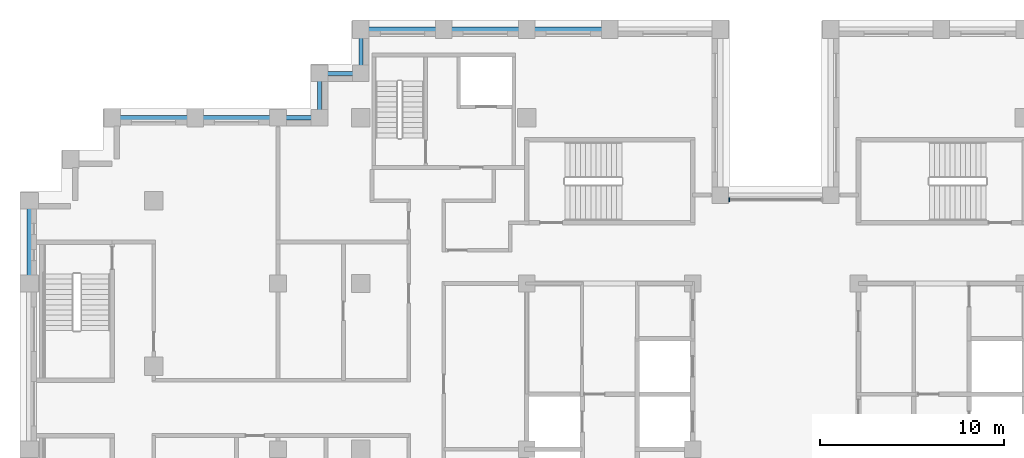
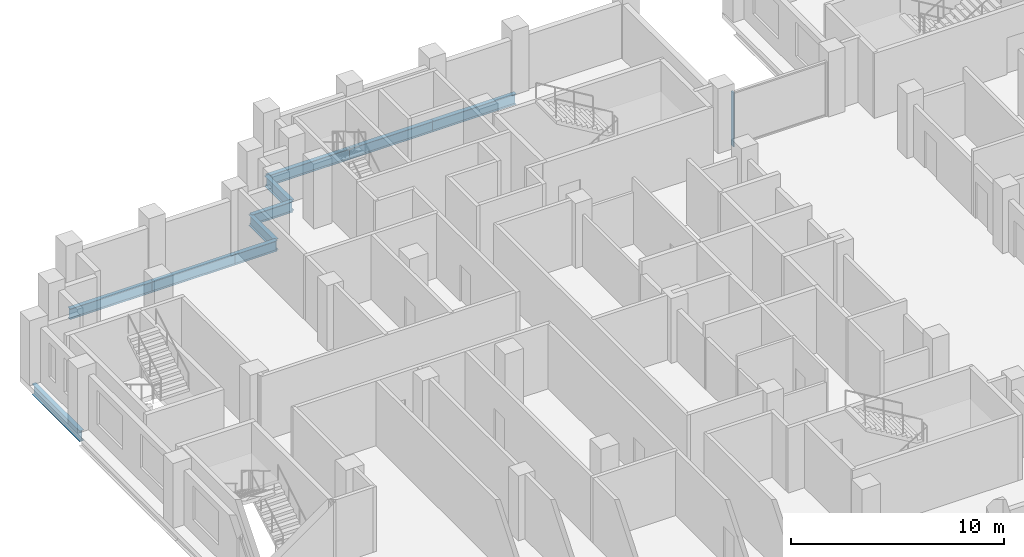
# One storey, part 3 of 15: 10 beams, 1 member, 1 element without a shape of its own.
"""IFC4 building model written with IfcOpenShell, lengths in metres."""

from ifc_helpers import new_model, si_unit, direction, frame, origin, origin_2d, place, context, subcontext, project, spatial, rectangle, i_section, extrude, material, layer, layer_set, material_profile, profile_set, type_object, element, aggregate, save


model = new_model("IFC4")

# Units and contexts
model_context = context("Model", 3, precision=1e-05, world=origin(), true_north=direction((0.0, 1.0)))
body_context = subcontext(model_context, "Body", "Model", "MODEL_VIEW")
ifc_project = project(units=[si_unit("LENGTHUNIT", "METRE"), si_unit("AREAUNIT", "SQUARE_METRE"), si_unit("VOLUMEUNIT", "CUBIC_METRE"), si_unit("PLANEANGLEUNIT", "RADIAN"), si_unit("MASSUNIT", "GRAM", prefix="KILO")], contexts=[model_context])

# Site, building, storey
site_placement = place(None, origin())
site = spatial("IfcSite", under=ifc_project, at=site_placement, CompositionType="ELEMENT")
building_placement = place(site_placement, origin())
building = spatial("IfcBuilding", under=site, at=building_placement, Name="Corbelhall Arena Tower", CompositionType="ELEMENT")
storey_placement = place(building_placement, frame((0.0, 0.0, 204.0)))
storey = spatial("IfcBuildingStorey", under=building, at=storey_placement, Name="L42", CompositionType="ELEMENT", Elevation=204.0)

# Curtain wall, member
ifc_material_1 = material(Name="Aluminium black anodised", Category="aluminium")
ifc_layer = layer(ifc_material_1, 0.199951171875)
ifc_layer_set = layer_set([ifc_layer], Name="EV-CW1 Slot back wall")
curtain_wall_type = type_object("IfcCurtainWallType", Name="EV-CW1 Slot back wall", PredefinedType="NOTDEFINED", material=ifc_layer_set)
curtain_wall_placement = place(storey_placement, origin())
curtain_wall = element("IfcCurtainWall", 1, at=curtain_wall_placement, inside=storey, type_object=curtain_wall_type, Name="Curtain wall CW1", PredefinedType="NOTDEFINED")
ifc_material_profile_1 = material_profile(ifc_material_1, rectangle(XDim=0.199951171875, YDim=0.074951171875, at=origin_2d()))
ifc_profile_set_1 = profile_set([ifc_material_profile_1], Name="Aluminium black anodised")
member_type = type_object("IfcMemberType", Name="EV-CW1-MULLION", PredefinedType="MULLION", material=ifc_profile_set_1)
member_placement = place(storey_placement, frame((-2.512451171875, 13.550048828125, 0.0), z_axis=(0.0, 0.0, 1.0), x_axis=(0.0, -1.0, 0.0)))
member = element("IfcMember", 2, at=member_placement, type_object=member_type, Name="CW1 mullion 2", PredefinedType="MULLION", context=body_context, shape_type="SweptSolid", body=[
    extrude(rectangle(XDim=0.199951171875, YDim=0.074951171875, at=origin_2d()), origin(), (0.0, 0.0, 1.0), 3.1201171875),
])
aggregate(curtain_wall, [member])

# Beams
ifc_material_2 = material(Name="Steel ASTM A992 Gr50", Category="steel")
ifc_material_profile_2 = material_profile(ifc_material_2, i_section(OverallWidth=0.228271484375, OverallDepth=0.607177734375, WebThickness=0.01123046875, FlangeThickness=0.017333984375, at=origin_2d()))
ifc_profile_set_2 = profile_set([ifc_material_profile_2], Name="Steel ASTM A992 Gr50")
beam_type = type_object("IfcBeamType", Name="ST-SPANDREL-W24x76", PredefinedType="SPANDREL", material=ifc_profile_set_2)
for number, where, z_axis, x_axis, name in (
    (3, (-40.5, 9.0, -0.58349609375), (0.0, 1.0, 0.0), (-1.0, 0.0, 0.0), "Beam SP 2"),
    (4, (-31.5, 18.0, -0.58349609375), (1.0, 0.0, 0.0), (0.0, 1.0, 0.0), "Beam SP 5"),
    (5, (-36.0, 18.0, -0.58349609375), (1.0, 0.0, 0.0), (0.0, 1.0, 0.0), "Beam SP 6"),
    (6, (-13.5, 22.800048828125, -0.58349609375), (1.0, 0.0, 0.0), (0.0, 1.0, 0.0), "Beam SP 20"),
    (7, (-18.0, 22.800048828125, -0.58349609375), (1.0, 0.0, 0.0), (0.0, 1.0, 0.0), "Beam SP 21"),
    (8, (-22.5, 22.800048828125, -0.58349609375), (1.0, 0.0, 0.0), (0.0, 1.0, 0.0), "Beam SP 22"),
):
    element("IfcBeam", number, at=place(storey_placement, frame(where, z_axis=z_axis, x_axis=x_axis)), inside=storey, type_object=beam_type, Name=name, PredefinedType="SPANDREL", context=body_context, shape_type="SweptSolid", body=[
        extrude(i_section(OverallWidth=0.228271484375, OverallDepth=0.607177734375, WebThickness=0.01123046875, FlangeThickness=0.017333984375, at=origin_2d()), origin(), (0.0, 0.0, 1.0), 4.5),
    ])
beam_1_placement = place(storey_placement, frame((-27.0, 18.0, -0.58349609375), z_axis=(1.0, 0.0, 0.0), x_axis=(0.0, 1.0, 0.0)))
element("IfcBeam", 9, at=beam_1_placement, inside=storey, type_object=beam_type, Name="Beam SP 33", PredefinedType="SPANDREL", context=body_context, shape_type="SweptSolid", body=[
    extrude(i_section(OverallWidth=0.228271484375, OverallDepth=0.607177734375, WebThickness=0.01123046875, FlangeThickness=0.017333984375, at=origin_2d()), origin(), (0.0, 0.0, 1.0), 2.25),
])
beam_2_placement = place(storey_placement, frame((-22.5, 20.39990234375, -0.58349609375), z_axis=(0.0, 1.0, 0.0), x_axis=(-1.0, 0.0, 0.0)))
element("IfcBeam", 10, at=beam_2_placement, inside=storey, type_object=beam_type, Name="Beam SP 42", PredefinedType="SPANDREL", context=body_context, shape_type="SweptSolid", body=[
    extrude(i_section(OverallWidth=0.228271484375, OverallDepth=0.607177734375, WebThickness=0.01123046875, FlangeThickness=0.017333984375, at=origin_2d()), origin(), (0.0, 0.0, 1.0), 2.400146484375),
])
beam_3_placement = place(storey_placement, frame((-24.75, 20.39990234375, -0.58349609375), z_axis=(1.0, 0.0, 0.0), x_axis=(0.0, 1.0, 0.0)))
element("IfcBeam", 11, at=beam_3_placement, inside=storey, type_object=beam_type, Name="Beam SP 43", PredefinedType="SPANDREL", context=body_context, shape_type="SweptSolid", body=[
    extrude(i_section(OverallWidth=0.228271484375, OverallDepth=0.607177734375, WebThickness=0.01123046875, FlangeThickness=0.017333984375, at=origin_2d()), origin(), (0.0, 0.0, 1.0), 2.25),
])
beam_4_placement = place(storey_placement, frame((-24.75, 18.0, -0.58349609375), z_axis=(0.0, 1.0, 0.0), x_axis=(-1.0, 0.0, 0.0)))
element("IfcBeam", 12, at=beam_4_placement, inside=storey, type_object=beam_type, Name="Beam SP 44", PredefinedType="SPANDREL", context=body_context, shape_type="SweptSolid", body=[
    extrude(i_section(OverallWidth=0.228271484375, OverallDepth=0.607177734375, WebThickness=0.01123046875, FlangeThickness=0.017333984375, at=origin_2d()), origin(), (0.0, 0.0, 1.0), 2.39990234375),
])

save(model, "model.ifc")
